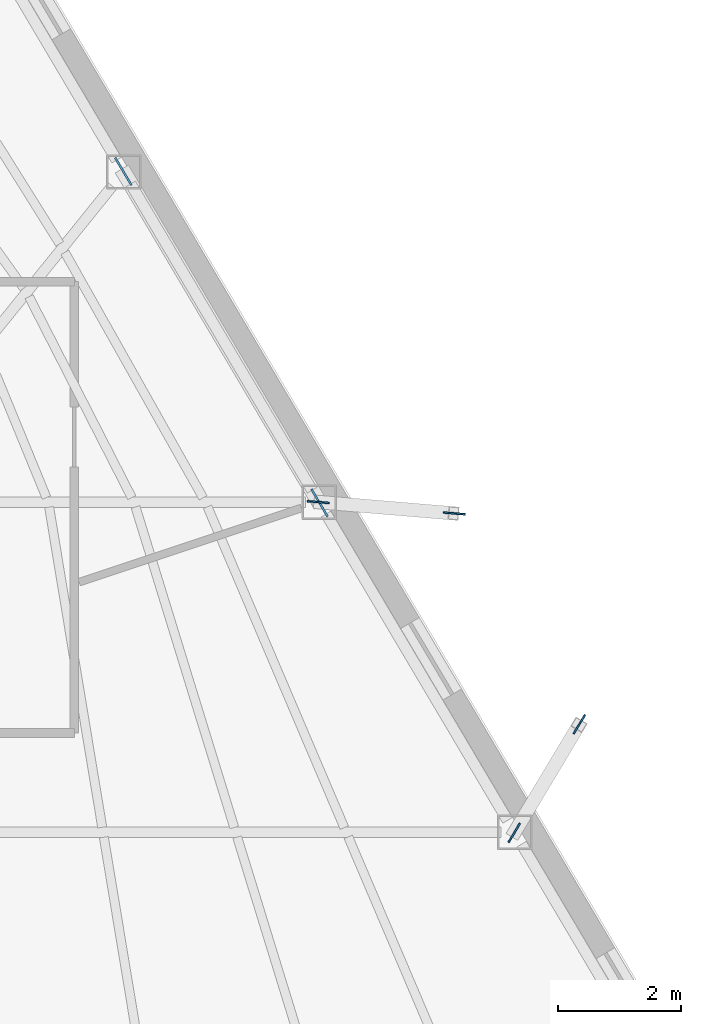
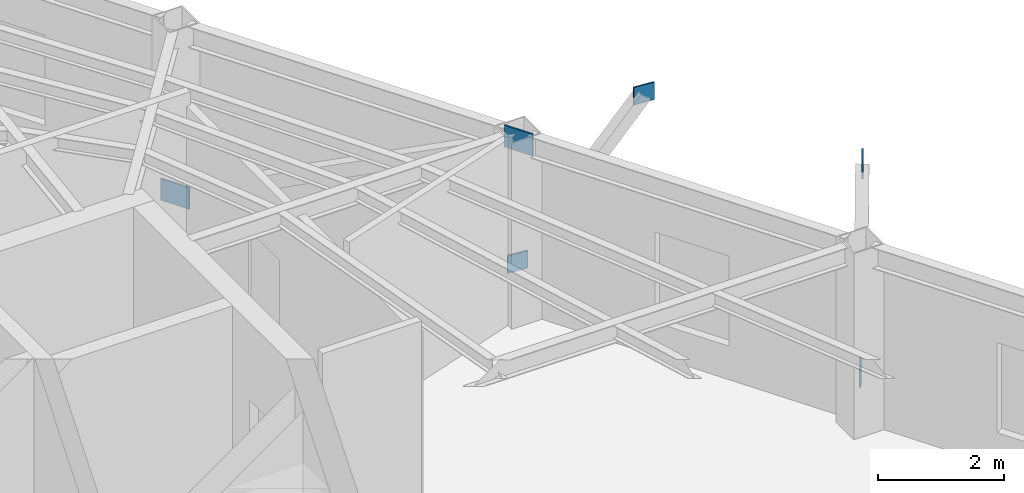
# One storey, part 5 of 10: 6 plates.
"""IFC4 building model written with IfcOpenShell, lengths in metres."""

from ifc_helpers import new_model, si_unit, direction, frame, origin, origin_2d, place, context, subcontext, project, spatial, rectangle, extrude, material, layer, layer_set, type_object, element, save


model = new_model("IFC4")

# Units and contexts
model_context = context("Model", 3, precision=1e-05, world=origin(), true_north=direction((0.0, 1.0)))
body_context = subcontext(model_context, "Body", "Model", "MODEL_VIEW")
ifc_project = project(units=[si_unit("LENGTHUNIT", "METRE"), si_unit("AREAUNIT", "SQUARE_METRE"), si_unit("VOLUMEUNIT", "CUBIC_METRE"), si_unit("PLANEANGLEUNIT", "RADIAN"), si_unit("MASSUNIT", "GRAM", prefix="KILO")], contexts=[model_context])

# Site, building, storey
site_placement = place(None, origin())
site = spatial("IfcSite", under=ifc_project, at=site_placement, CompositionType="ELEMENT")
building_placement = place(site_placement, origin())
building = spatial("IfcBuilding", under=site, at=building_placement, Name="Kavelnor Concourse Tower", CompositionType="ELEMENT")
storey_placement = place(building_placement, frame((0.0, 0.0, 266.449951171875)))
storey = spatial("IfcBuildingStorey", under=building, at=storey_placement, Name="L67", CompositionType="ELEMENT", Elevation=266.449951171875)

# Plates
ifc_material = material(Name="Steel Grade 350", Category="steel")
ifc_layer_1 = layer(ifc_material, 0.028076171875, Name="Steel Grade 350")
ifc_layer_set_1 = layer_set([ifc_layer_1], Name="Steel Grade 350")
plate_type_1 = type_object("IfcPlateType", Name="PL-GUSSET-FOLD", PredefinedType="USERDEFINED", material=ifc_layer_set_1)
for number, where, z_axis, x_axis, name in (
    (1, (57.0673828125, 16.0224609375, 0.8798828125), (0.0, 0.0, 1.0), (0.514140169175, 0.85770617722, 0.0), "L67 Balcony Strut Gusset GP4 1-A End Gusset A"),
    (2, (58.12744140625, 17.790771484375, 3.48486328125), (0.0, 0.0, 1.0), (0.514140169175, 0.85770617722, 0.0), "L67 Balcony Strut Gusset GP4 1-A End Gusset B"),
    (3, (53.881591796875, 21.40478515625, 0.8798828125), (0.0, 0.0, 1.0), (0.996551034561, -0.082982139742, 0.0), "L67 Balcony Strut Gusset GP4 1-B End Gusset A"),
    (4, (56.093994140625, 21.220458984375, 3.48486328125), (0.0, 0.0, 1.0), (0.996551034561, -0.082982139742, 0.0), "L67 Balcony Strut Gusset GP4 1-B End Gusset B"),
):
    element("IfcPlate", number, at=place(storey_placement, frame(where, z_axis=z_axis, x_axis=x_axis)), inside=storey, type_object=plate_type_1, Name=name, ObjectType="GUSSET_PLATE", PredefinedType="USERDEFINED", context=body_context, shape_type="SweptSolid", body=[
        extrude(rectangle(XDim=0.360107421875, YDim=0.028076171875, at=origin_2d()), origin(), (0.0, 0.0, 1.0), 0.340087890625),
    ])
ifc_layer_2 = layer(ifc_material, 0.031982421875, Name="Steel Grade 350")
ifc_layer_set_2 = layer_set([ifc_layer_2], Name="Steel Grade 350")
plate_type_2 = type_object("IfcPlateType", Name="PL-GUSSET-TUBE-Z1", PredefinedType="USERDEFINED", material=ifc_layer_set_2)
for number, where, z_axis, x_axis, name in (
    (5, (50.70751953125, 26.784912109375, 0.010009765625), (0.0, 0.0, 1.0), (0.509492029423, -0.860475375565, 0.0), "L67 Tube Brace Gusset GP3 F2-B2 End Gusset A"),
    (6, (53.899658203125, 21.393310546875, 3.197021484375), (0.0, 0.0, 1.0), (0.509492029423, -0.860475375565, 0.0), "L67 Tube Brace Gusset GP3 F2-B2 End Gusset B"),
):
    element("IfcPlate", number, at=place(storey_placement, frame(where, z_axis=z_axis, x_axis=x_axis)), inside=storey, type_object=plate_type_2, Name=name, ObjectType="GUSSET_PLATE", PredefinedType="USERDEFINED", context=body_context, shape_type="SweptSolid", body=[
        extrude(rectangle(XDim=0.52001953125, YDim=0.031982421875, at=origin_2d()), origin(), (0.0, 0.0, 1.0), 0.419921875),
    ])

save(model, "model.ifc")
